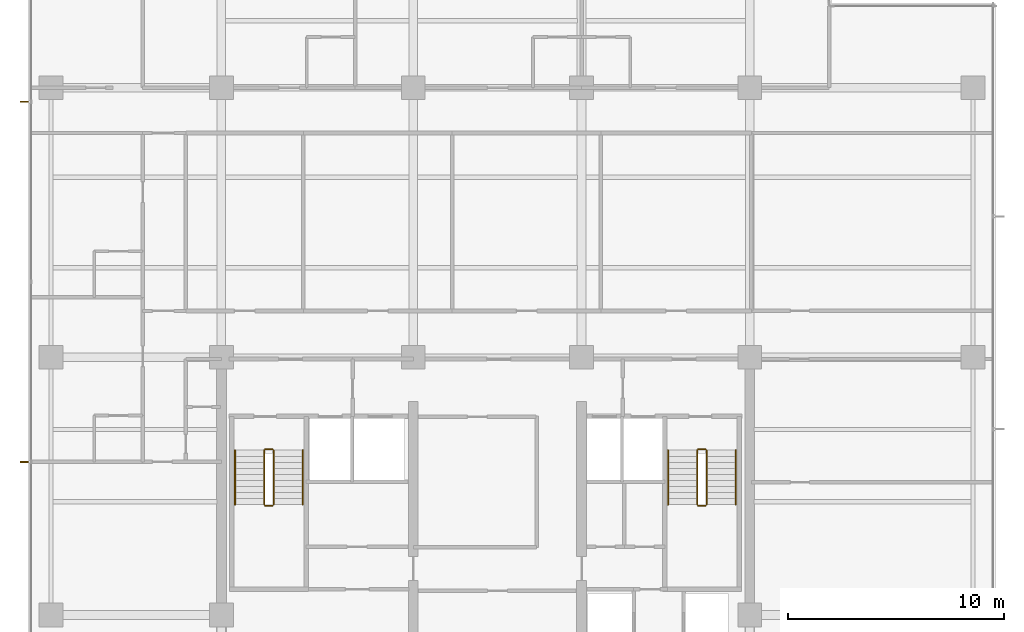
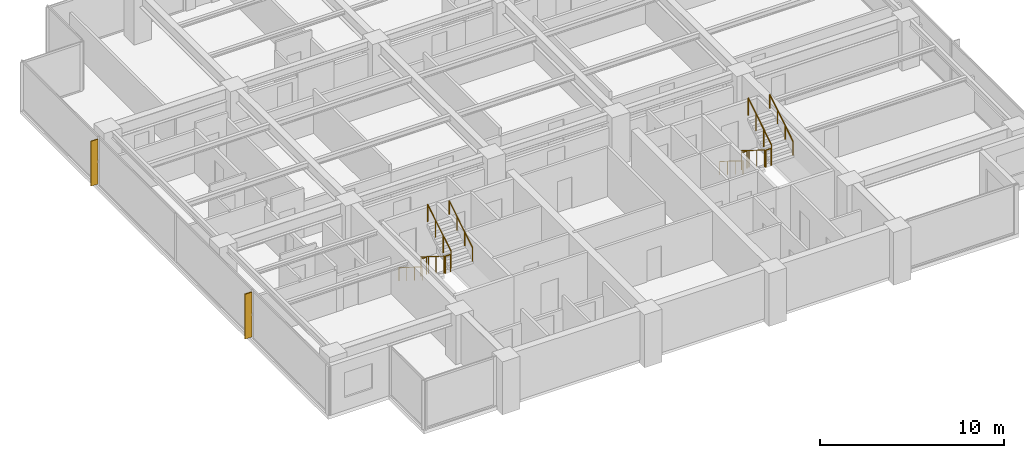
# One storey, part 13 of 14: 12 railings, 2 shading devices.
"""IFC4 building model written with IfcOpenShell, lengths in metres."""

from ifc_helpers import new_model, si_unit, direction, frame, origin, origin_2d, place, context, subcontext, project, spatial, polyline, circle, outline, extrude, material, layer, layer_set, type_object, element, save


model = new_model("IFC4")

# Units and contexts
model_context = context("Model", 3, precision=1e-05, world=origin(), true_north=direction((0.0, 1.0)))
body_context = subcontext(model_context, "Body", "Model", "MODEL_VIEW")
ifc_project = project(units=[si_unit("LENGTHUNIT", "METRE"), si_unit("AREAUNIT", "SQUARE_METRE"), si_unit("VOLUMEUNIT", "CUBIC_METRE"), si_unit("PLANEANGLEUNIT", "RADIAN"), si_unit("MASSUNIT", "GRAM", prefix="KILO")], contexts=[model_context])

# Site, building, storey
site_placement = place(None, origin())
site = spatial("IfcSite", under=ifc_project, at=site_placement, CompositionType="ELEMENT")
building_placement = place(site_placement, origin())
building = spatial("IfcBuilding", under=site, at=building_placement, Name="Qalmaran Belvedere Hotel", CompositionType="ELEMENT")
storey_placement = place(building_placement, frame((0.0, 0.0, 166.60009765625)))
storey = spatial("IfcBuildingStorey", under=building, at=storey_placement, Name="L42", CompositionType="ELEMENT", Elevation=166.60009765625)

# Shading devices
ifc_material_1 = material(Name="Anodised Bronze Aluminium", Category="aluminium")
ifc_layer = layer(ifc_material_1, 0.06494140625, Name="Anodised Bronze Aluminium")
ifc_layer_set = layer_set([ifc_layer], Name="Anodised Bronze Aluminium")
shading_device_type = type_object("IfcShadingDeviceType", Name="FIN-BRNZ-420", PredefinedType="USERDEFINED", material=ifc_layer_set)
shading_device_1_placement = place(storey_placement, frame((0.0, 0.0, 0.159912109375)))
element("IfcShadingDevice", 1, at=shading_device_1_placement, inside=storey, type_object=shading_device_type, Name="L42 Bronze Fin 1", ObjectType="FIN", PredefinedType="USERDEFINED", context=body_context, shape_type="SweptSolid", body=[
    extrude(outline(polyline([(11.3798828125, 32.382568359375), (10.9599609375, 32.382568359375), (10.9599609375, 32.3173828125), (11.3798828125, 32.3173828125), (11.3798828125, 32.382568359375)])), origin(), (0.0, 0.0, 1.0), 2.969970703125),
])
shading_device_2_placement = place(storey_placement, frame((0.0, 0.0, 0.159912109375)))
element("IfcShadingDevice", 2, at=shading_device_2_placement, inside=storey, type_object=shading_device_type, Name="L42 Bronze Fin 3", ObjectType="FIN", PredefinedType="USERDEFINED", context=body_context, shape_type="SweptSolid", body=[
    extrude(outline(polyline([(11.3798828125, 15.6826171875), (10.9599609375, 15.6826171875), (10.9599609375, 15.617431640625), (11.3798828125, 15.617431640625), (11.3798828125, 15.6826171875)])), origin(), (0.0, 0.0, 1.0), 2.969970703125),
])

# Railings
ifc_material_2 = material(Name="Stainless Steel 1.4401", Category="steel")
railing_type_1 = type_object("IfcRailingType", Name="RLG-STAIR-GUARD-1150", PredefinedType="GUARDRAIL", material=ifc_material_2)
railing_1_placement = place(storey_placement, frame((22.280029296875, 16.18994140625, 0.1748046875)))
element("IfcRailing", 3, at=railing_1_placement, inside=storey, type_object=railing_type_1, Name="L42 ST-1 stair guard 1", PredefinedType="GUARDRAIL", context=body_context, shape_type="SweptSolid", body=[
    extrude(circle(Radius=0.02392578125, at=origin_2d()), frame((0.0, 0.0, 1.1259765625), z_axis=(0.0, -0.847970611238, 0.530043245855), x_axis=(1.0, 0.0, 0.0)), (0.0, 0.0, 1.0), 2.971923828125),
    extrude(circle(Radius=0.02099609375, at=origin_2d()), origin(), (0.0, 0.0, 1.0), 1.101806640625),
    extrude(circle(Radius=0.02099609375, at=origin_2d()), frame((0.0, -0.840087890625, 0.525146484375)), (0.0, 0.0, 1.0), 1.101806640625),
    extrude(circle(Radius=0.02099609375, at=origin_2d()), frame((0.0, -1.679931640625, 1.050048828125)), (0.0, 0.0, 1.0), 1.101806640625),
    extrude(circle(Radius=0.02099609375, at=origin_2d()), frame((0.0, -2.52001953125, 1.5751953125)), (0.0, 0.0, 1.0), 1.101806640625),
])
railing_2_placement = place(storey_placement, frame((22.330078125, 13.6201171875, 1.75)))
element("IfcRailing", 4, at=railing_2_placement, inside=storey, type_object=railing_type_1, Name="L42 ST-1 stair guard 2", PredefinedType="GUARDRAIL", context=body_context, shape_type="SweptSolid", body=[
    extrude(circle(Radius=0.02392578125, at=origin_2d()), frame((0.0, 0.0, 1.1259765625), z_axis=(1.0, 0.0, 0.0), x_axis=(0.0, 1.0, 0.0)), (0.0, 0.0, 1.0), 0.33984375),
    extrude(circle(Radius=0.02099609375, at=origin_2d()), origin(), (0.0, 0.0, 1.0), 1.101806640625),
    extrude(circle(Radius=0.02099609375, at=origin_2d()), frame((0.33984375, 0.0, 0.0)), (0.0, 0.0, 1.0), 1.101806640625),
])
railing_3_placement = place(storey_placement, frame((22.719970703125, 13.669921875, 1.9248046875)))
element("IfcRailing", 5, at=railing_3_placement, inside=storey, type_object=railing_type_1, Name="L42 ST-1 stair guard 3", PredefinedType="GUARDRAIL", context=body_context, shape_type="SweptSolid", body=[
    extrude(circle(Radius=0.02392578125, at=origin_2d()), frame((0.0, 0.0, 1.1259765625), z_axis=(0.0, 0.847970611238, 0.530043245855), x_axis=(-1.0, 0.0, 0.0)), (0.0, 0.0, 1.0), 2.971923828125),
    extrude(circle(Radius=0.02099609375, at=origin_2d()), origin(), (0.0, 0.0, 1.0), 1.101806640625),
    extrude(circle(Radius=0.02099609375, at=origin_2d()), frame((0.0, 0.840087890625, 0.525146484375)), (0.0, 0.0, 1.0), 1.101806640625),
    extrude(circle(Radius=0.02099609375, at=origin_2d()), frame((0.0, 1.679931640625, 1.050048828125)), (0.0, 0.0, 1.0), 1.101806640625),
    extrude(circle(Radius=0.02099609375, at=origin_2d()), frame((0.0, 2.52001953125, 1.5751953125)), (0.0, 0.0, 1.0), 1.101806640625),
])
railing_4_placement = place(storey_placement, frame((22.330078125, 16.239990234375, 0.0)))
element("IfcRailing", 6, at=railing_4_placement, inside=storey, type_object=railing_type_1, Name="L42 ST-1 stair guard 4", PredefinedType="GUARDRAIL", context=body_context, shape_type="SweptSolid", body=[
    extrude(circle(Radius=0.02392578125, at=origin_2d()), frame((0.0, 0.0, 1.1259765625), z_axis=(1.0, 0.0, 0.0), x_axis=(0.0, 1.0, 0.0)), (0.0, 0.0, 1.0), 0.33984375),
    extrude(circle(Radius=0.02099609375, at=origin_2d()), origin(), (0.0, 0.0, 1.0), 1.101806640625),
    extrude(circle(Radius=0.02099609375, at=origin_2d()), frame((0.33984375, 0.0, 0.0)), (0.0, 0.0, 1.0), 1.101806640625),
])
railing_5_placement = place(storey_placement, frame((42.360107421875, 16.18994140625, 0.1748046875)))
element("IfcRailing", 7, at=railing_5_placement, inside=storey, type_object=railing_type_1, Name="L42 ST-2 stair guard 1", PredefinedType="GUARDRAIL", context=body_context, shape_type="SweptSolid", body=[
    extrude(circle(Radius=0.02392578125, at=origin_2d()), frame((0.0, 0.0, 1.1259765625), z_axis=(0.0, -0.847970611238, 0.530043245855), x_axis=(1.0, 0.0, 0.0)), (0.0, 0.0, 1.0), 2.971923828125),
    extrude(circle(Radius=0.02099609375, at=origin_2d()), origin(), (0.0, 0.0, 1.0), 1.101806640625),
    extrude(circle(Radius=0.02099609375, at=origin_2d()), frame((0.0, -0.840087890625, 0.525146484375)), (0.0, 0.0, 1.0), 1.101806640625),
    extrude(circle(Radius=0.02099609375, at=origin_2d()), frame((0.0, -1.679931640625, 1.050048828125)), (0.0, 0.0, 1.0), 1.101806640625),
    extrude(circle(Radius=0.02099609375, at=origin_2d()), frame((0.0, -2.52001953125, 1.5751953125)), (0.0, 0.0, 1.0), 1.101806640625),
])
railing_6_placement = place(storey_placement, frame((42.409912109375, 13.6201171875, 1.75)))
element("IfcRailing", 8, at=railing_6_placement, inside=storey, type_object=railing_type_1, Name="L42 ST-2 stair guard 2", PredefinedType="GUARDRAIL", context=body_context, shape_type="SweptSolid", body=[
    extrude(circle(Radius=0.02392578125, at=origin_2d()), frame((0.0, 0.0, 1.1259765625), z_axis=(1.0, 0.0, 0.0), x_axis=(0.0, 1.0, 0.0)), (0.0, 0.0, 1.0), 0.340087890625),
    extrude(circle(Radius=0.02099609375, at=origin_2d()), origin(), (0.0, 0.0, 1.0), 1.101806640625),
    extrude(circle(Radius=0.02099609375, at=origin_2d()), frame((0.340087890625, 0.0, 0.0)), (0.0, 0.0, 1.0), 1.101806640625),
])
railing_7_placement = place(storey_placement, frame((42.800048828125, 13.669921875, 1.9248046875)))
element("IfcRailing", 9, at=railing_7_placement, inside=storey, type_object=railing_type_1, Name="L42 ST-2 stair guard 3", PredefinedType="GUARDRAIL", context=body_context, shape_type="SweptSolid", body=[
    extrude(circle(Radius=0.02392578125, at=origin_2d()), frame((0.0, 0.0, 1.1259765625), z_axis=(0.0, 0.847970611238, 0.530043245855), x_axis=(-1.0, 0.0, 0.0)), (0.0, 0.0, 1.0), 2.971923828125),
    extrude(circle(Radius=0.02099609375, at=origin_2d()), origin(), (0.0, 0.0, 1.0), 1.101806640625),
    extrude(circle(Radius=0.02099609375, at=origin_2d()), frame((0.0, 0.840087890625, 0.525146484375)), (0.0, 0.0, 1.0), 1.101806640625),
    extrude(circle(Radius=0.02099609375, at=origin_2d()), frame((0.0, 1.679931640625, 1.050048828125)), (0.0, 0.0, 1.0), 1.101806640625),
    extrude(circle(Radius=0.02099609375, at=origin_2d()), frame((0.0, 2.52001953125, 1.5751953125)), (0.0, 0.0, 1.0), 1.101806640625),
])
railing_8_placement = place(storey_placement, frame((42.409912109375, 16.239990234375, 0.0)))
element("IfcRailing", 10, at=railing_8_placement, inside=storey, type_object=railing_type_1, Name="L42 ST-2 stair guard 4", PredefinedType="GUARDRAIL", context=body_context, shape_type="SweptSolid", body=[
    extrude(circle(Radius=0.02392578125, at=origin_2d()), frame((0.0, 0.0, 1.1259765625), z_axis=(1.0, 0.0, 0.0), x_axis=(0.0, 1.0, 0.0)), (0.0, 0.0, 1.0), 0.340087890625),
    extrude(circle(Radius=0.02099609375, at=origin_2d()), origin(), (0.0, 0.0, 1.0), 1.101806640625),
    extrude(circle(Radius=0.02099609375, at=origin_2d()), frame((0.340087890625, 0.0, 0.0)), (0.0, 0.0, 1.0), 1.101806640625),
])
railing_type_2 = type_object("IfcRailingType", Name="RLG-STAIR-HAND-910", PredefinedType="HANDRAIL", material=ifc_material_2)
railing_9_placement = place(storey_placement, frame((20.929931640625, 16.18994140625, 0.1748046875)))
element("IfcRailing", 11, at=railing_9_placement, inside=storey, type_object=railing_type_2, Name="L42 ST-1 stair handrail 1", PredefinedType="HANDRAIL", context=body_context, shape_type="SweptSolid", body=[
    extrude(circle(Radius=0.02392578125, at=origin_2d()), frame((0.0, 0.0, 0.8857421875), z_axis=(0.0, -0.847970611238, 0.530043245855), x_axis=(1.0, 0.0, 0.0)), (0.0, 0.0, 1.0), 2.971923828125),
    extrude(circle(Radius=0.02099609375, at=origin_2d()), origin(), (0.0, 0.0, 1.0), 0.86181640625),
    extrude(circle(Radius=0.02099609375, at=origin_2d()), frame((0.0, -0.840087890625, 0.525146484375)), (0.0, 0.0, 1.0), 0.86181640625),
    extrude(circle(Radius=0.02099609375, at=origin_2d()), frame((0.0, -1.679931640625, 1.050048828125)), (0.0, 0.0, 1.0), 0.86181640625),
    extrude(circle(Radius=0.02099609375, at=origin_2d()), frame((0.0, -2.52001953125, 1.5751953125)), (0.0, 0.0, 1.0), 0.86181640625),
])
railing_10_placement = place(storey_placement, frame((24.070068359375, 13.669921875, 1.9248046875)))
element("IfcRailing", 12, at=railing_10_placement, inside=storey, type_object=railing_type_2, Name="L42 ST-1 stair handrail 2", PredefinedType="HANDRAIL", context=body_context, shape_type="SweptSolid", body=[
    extrude(circle(Radius=0.02392578125, at=origin_2d()), frame((0.0, 0.0, 0.8857421875), z_axis=(0.0, 0.847970611238, 0.530043245855), x_axis=(-1.0, 0.0, 0.0)), (0.0, 0.0, 1.0), 2.971923828125),
    extrude(circle(Radius=0.02099609375, at=origin_2d()), origin(), (0.0, 0.0, 1.0), 0.86181640625),
    extrude(circle(Radius=0.02099609375, at=origin_2d()), frame((0.0, 0.840087890625, 0.525146484375)), (0.0, 0.0, 1.0), 0.86181640625),
    extrude(circle(Radius=0.02099609375, at=origin_2d()), frame((0.0, 1.679931640625, 1.050048828125)), (0.0, 0.0, 1.0), 0.86181640625),
    extrude(circle(Radius=0.02099609375, at=origin_2d()), frame((0.0, 2.52001953125, 1.5751953125)), (0.0, 0.0, 1.0), 0.86181640625),
])
railing_11_placement = place(storey_placement, frame((41.010009765625, 16.18994140625, 0.1748046875)))
element("IfcRailing", 13, at=railing_11_placement, inside=storey, type_object=railing_type_2, Name="L42 ST-2 stair handrail 1", PredefinedType="HANDRAIL", context=body_context, shape_type="SweptSolid", body=[
    extrude(circle(Radius=0.02392578125, at=origin_2d()), frame((0.0, 0.0, 0.8857421875), z_axis=(0.0, -0.847970611238, 0.530043245855), x_axis=(1.0, 0.0, 0.0)), (0.0, 0.0, 1.0), 2.971923828125),
    extrude(circle(Radius=0.02099609375, at=origin_2d()), origin(), (0.0, 0.0, 1.0), 0.86181640625),
    extrude(circle(Radius=0.02099609375, at=origin_2d()), frame((0.0, -0.840087890625, 0.525146484375)), (0.0, 0.0, 1.0), 0.86181640625),
    extrude(circle(Radius=0.02099609375, at=origin_2d()), frame((0.0, -1.679931640625, 1.050048828125)), (0.0, 0.0, 1.0), 0.86181640625),
    extrude(circle(Radius=0.02099609375, at=origin_2d()), frame((0.0, -2.52001953125, 1.5751953125)), (0.0, 0.0, 1.0), 0.86181640625),
])
railing_12_placement = place(storey_placement, frame((44.14990234375, 13.669921875, 1.9248046875)))
element("IfcRailing", 14, at=railing_12_placement, inside=storey, type_object=railing_type_2, Name="L42 ST-2 stair handrail 2", PredefinedType="HANDRAIL", context=body_context, shape_type="SweptSolid", body=[
    extrude(circle(Radius=0.02392578125, at=origin_2d()), frame((0.0, 0.0, 0.8857421875), z_axis=(0.0, 0.847970611238, 0.530043245855), x_axis=(-1.0, 0.0, 0.0)), (0.0, 0.0, 1.0), 2.971923828125),
    extrude(circle(Radius=0.02099609375, at=origin_2d()), origin(), (0.0, 0.0, 1.0), 0.86181640625),
    extrude(circle(Radius=0.02099609375, at=origin_2d()), frame((0.0, 0.840087890625, 0.525146484375)), (0.0, 0.0, 1.0), 0.86181640625),
    extrude(circle(Radius=0.02099609375, at=origin_2d()), frame((0.0, 1.679931640625, 1.050048828125)), (0.0, 0.0, 1.0), 0.86181640625),
    extrude(circle(Radius=0.02099609375, at=origin_2d()), frame((0.0, 2.52001953125, 1.5751953125)), (0.0, 0.0, 1.0), 0.86181640625),
])

save(model, "model.ifc")
